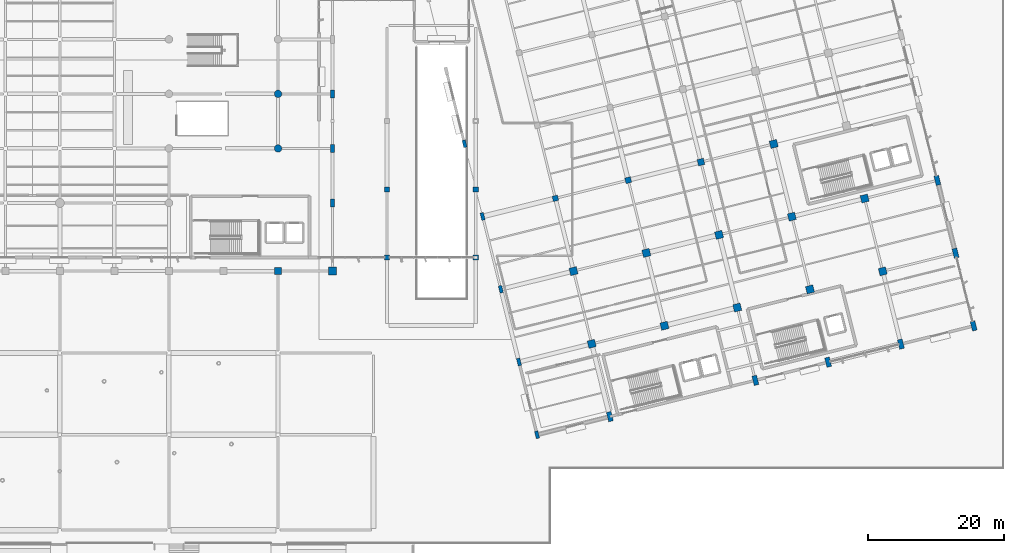
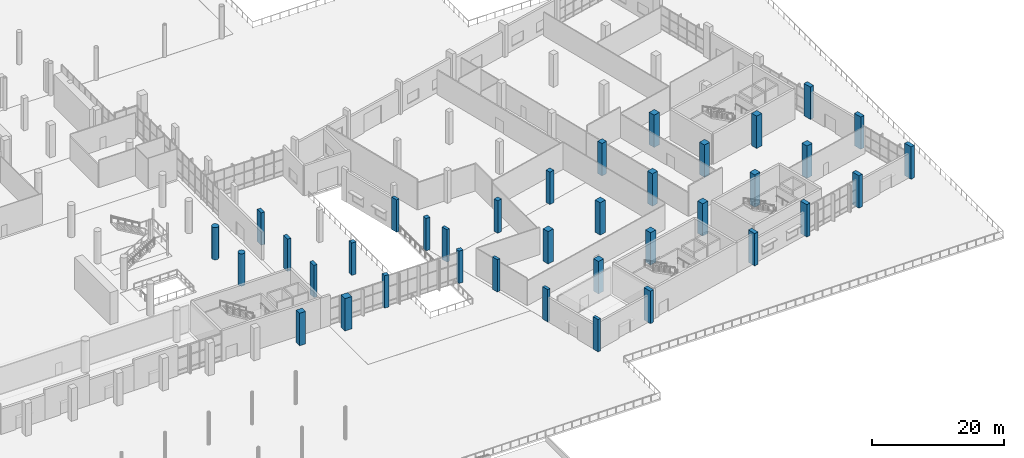
# One storey, part 17 of 163: 37 columns.
"""IFC4 building model written with IfcOpenShell, lengths in metres."""

from ifc_helpers import new_model, si_unit, direction, frame, origin, origin_2d, place, context, subcontext, project, spatial, rectangle, circle, extrude, material, material_profile, profile_set, type_object, element, save


model = new_model("IFC4")

# Units and contexts
model_context = context("Model", 3, precision=1e-05, world=origin(), true_north=direction((0.0, 1.0)))
body_context = subcontext(model_context, "Body", "Model", "MODEL_VIEW")
ifc_project = project(units=[si_unit("LENGTHUNIT", "METRE"), si_unit("AREAUNIT", "SQUARE_METRE"), si_unit("VOLUMEUNIT", "CUBIC_METRE"), si_unit("PLANEANGLEUNIT", "RADIAN"), si_unit("MASSUNIT", "GRAM", prefix="KILO")], contexts=[model_context])

# Site, building, storey
site_placement = place(None, origin())
site = spatial("IfcSite", under=ifc_project, at=site_placement, CompositionType="ELEMENT")
building_placement = place(site_placement, origin())
building = spatial("IfcBuilding", under=site, at=building_placement, Name="Khorjan Park Terminus", CompositionType="ELEMENT")
storey_placement = place(building_placement, origin())
storey = spatial("IfcBuildingStorey", under=building, at=storey_placement, Name="L00", CompositionType="ELEMENT", Elevation=0.0)

# Columns
ifc_material_1 = material(Name="Concrete C50/60", Category="concrete")
ifc_material_profile_1 = material_profile(ifc_material_1, rectangle(XDim=0.5, YDim=1.1, at=origin_2d()), Name="RC 500x1100")
ifc_profile_set_1 = profile_set([ifc_material_profile_1], Name="Concrete C50/60")
column_type_1 = type_object("IfcColumnType", Name="COL-BL1100E", PredefinedType="COLUMN", material=ifc_profile_set_1)
for number, where, z_axis, x_axis, name in (
    (1, (166.0, 2.0, 0.0), (0.0, 0.0, 1.0), (0.970295726276, 0.2419218956, 0.0), "Structural column C-BL11 (L00 #662)"),
    (2, (163.339, 12.673, 0.0), (0.0, 0.0, 1.0), (0.970295726276, 0.2419218956, 0.0), "Structural column C-BL11 (L00 #666)"),
    (3, (160.678, 23.346, 0.0), (0.0, 0.0, 1.0), (0.970295726276, 0.2419218956, 0.0), "Structural column C-BL11 (L00 #670)"),
    (4, (158.017, 34.02, 0.0), (0.0, 0.0, 1.0), (0.970295726276, 0.2419218956, 0.0), "Structural column C-BL11 (L00 #674)"),
    (5, (155.355, 44.693, 0.0), (0.0, 0.0, 1.0), (0.970295726276, 0.2419218956, 0.0), "Structural column C-BL11 (L00 #678)"),
):
    element("IfcColumn", number, at=place(storey_placement, frame(where, z_axis=z_axis, x_axis=x_axis)), inside=storey, type_object=column_type_1, Name=name, PredefinedType="COLUMN", context=body_context, shape_type="SweptSolid", body=[
        extrude(rectangle(XDim=0.5, YDim=1.1, at=origin_2d()), origin(), (0.0, 0.0, 1.0), 6.0),
    ])
ifc_material_profile_2 = material_profile(ifc_material_1, rectangle(XDim=0.6, YDim=1.2, at=origin_2d()), Name="RC 600x1200")
ifc_profile_set_2 = profile_set([ifc_material_profile_2], Name="Concrete C50/60")
column_type_2 = type_object("IfcColumnType", Name="COL-BL1200", PredefinedType="COLUMN", material=ifc_profile_set_2)
for number, where, z_axis, x_axis, name in (
    (6, (136.0, 36.0, 0.0), (0.0, 0.0, 1.0), (1.0, 0.0, 0.0), "Structural column C-BL12 (L00 #472)"),
    (7, (136.0, 44.0, 0.0), (0.0, 0.0, 1.0), (1.0, 0.0, 0.0), "Structural column C-BL12 (L00 #477)"),
    (8, (136.0, 52.0, 0.0), (0.0, 0.0, 1.0), (1.0, 0.0, 0.0), "Structural column C-BL12 (L00 #482)"),
):
    element("IfcColumn", number, at=place(storey_placement, frame(where, z_axis=z_axis, x_axis=x_axis)), inside=storey, type_object=column_type_2, Name=name, PredefinedType="COLUMN", context=body_context, shape_type="SweptSolid", body=[
        extrude(rectangle(XDim=0.6, YDim=1.2, at=origin_2d()), origin(), (0.0, 0.0, 1.0), 6.0),
    ])
ifc_material_profile_3 = material_profile(ifc_material_1, rectangle(XDim=0.7, YDim=1.4, at=origin_2d()), Name="RC 700x1400")
ifc_profile_set_3 = profile_set([ifc_material_profile_3], Name="Concrete C50/60")
column_type_3 = type_object("IfcColumnType", Name="COL-BL1400E", PredefinedType="COLUMN", material=ifc_profile_set_3)
for number, where, z_axis, x_axis, name in (
    (9, (176.673, 4.661, 0.0), (0.0, 0.0, 1.0), (0.970295726276, 0.2419218956, 0.0), "Structural column C-BL14 (L00 #687)"),
    (10, (198.02, 9.983, 0.0), (0.0, 0.0, 1.0), (0.970295726276, 0.2419218956, 0.0), "Structural column C-BL14 (L00 #750)"),
    (11, (208.693, 12.645, 0.0), (0.0, 0.0, 1.0), (0.970295726276, 0.2419218956, 0.0), "Structural column C-BL14 (L00 #791)"),
    (12, (219.366, 15.306, 0.0), (0.0, 0.0, 1.0), (0.970295726276, 0.2419218956, 0.0), "Structural column C-BL14 (L00 #837)"),
    (13, (230.04, 17.967, 0.0), (0.0, 0.0, 1.0), (0.970295726276, 0.2419218956, 0.0), "Structural column C-BL14 (L00 #883)"),
    (14, (227.378, 28.64, 0.0), (0.0, 0.0, 1.0), (0.970295726276, 0.2419218956, 0.0), "Structural column C-BL14 (L00 #890)"),
    (15, (224.717, 39.313, 0.0), (0.0, 0.0, 1.0), (0.970295726276, 0.2419218956, 0.0), "Structural column C-BL14 (L00 #897)"),
):
    element("IfcColumn", number, at=place(storey_placement, frame(where, z_axis=z_axis, x_axis=x_axis)), inside=storey, type_object=column_type_3, Name=name, PredefinedType="COLUMN", context=body_context, shape_type="SweptSolid", body=[
        extrude(rectangle(XDim=0.7, YDim=1.4, at=origin_2d()), origin(), (0.0, 0.0, 1.0), 6.0),
    ])
ifc_material_profile_4 = material_profile(ifc_material_1, rectangle(XDim=1.05, YDim=1.05, at=origin_2d()), Name="RC 1050x1050")
ifc_profile_set_4 = profile_set([ifc_material_profile_4], Name="Concrete C50/60")
column_type_4 = type_object("IfcColumnType", Name="COL-RC1050", PredefinedType="COLUMN", material=ifc_profile_set_4)
column_1_placement = place(storey_placement, frame((128.0, 26.0, 0.0), z_axis=(0.0, 0.0, 1.0), x_axis=(1.0, 0.0, 0.0)))
element("IfcColumn", 16, at=column_1_placement, inside=storey, type_object=column_type_4, Name="Structural column C-RC105 (L00 #442)", PredefinedType="COLUMN", context=body_context, shape_type="SweptSolid", body=[
    extrude(rectangle(XDim=1.05, YDim=1.05, at=origin_2d()), origin(), (0.0, 0.0, 1.0), 6.0),
])
ifc_material_profile_5 = material_profile(ifc_material_1, rectangle(XDim=1.1, YDim=1.1, at=origin_2d()), Name="RC 1100x1100")
ifc_profile_set_5 = profile_set([ifc_material_profile_5], Name="Concrete C50/60")
column_type_5 = type_object("IfcColumnType", Name="COL-RC1100", PredefinedType="COLUMN", material=ifc_profile_set_5)
for number, where, z_axis, x_axis, name in (
    (17, (174.012, 15.334, 0.0), (0.0, 0.0, 1.0), (0.970295726276, 0.2419218956, 0.0), "Structural column C-RC11 (L00 #694)"),
    (18, (171.351, 26.008, 0.0), (0.0, 0.0, 1.0), (0.970295726276, 0.2419218956, 0.0), "Structural column C-RC11 (L00 #701)"),
    (19, (184.685, 17.995, 0.0), (0.0, 0.0, 1.0), (0.970295726276, 0.2419218956, 0.0), "Structural column C-RC11 (L00 #720)"),
    (20, (182.024, 28.669, 0.0), (0.0, 0.0, 1.0), (0.970295726276, 0.2419218956, 0.0), "Structural column C-RC11 (L00 #727)"),
    (21, (195.359, 20.657, 0.0), (0.0, 0.0, 1.0), (0.970295726276, 0.2419218956, 0.0), "Structural column C-RC11 (L00 #757)"),
    (22, (192.697, 31.33, 0.0), (0.0, 0.0, 1.0), (0.970295726276, 0.2419218956, 0.0), "Structural column C-RC11 (L00 #764)"),
    (23, (206.032, 23.318, 0.0), (0.0, 0.0, 1.0), (0.970295726276, 0.2419218956, 0.0), "Structural column C-RC11 (L00 #798)"),
    (24, (203.371, 33.991, 0.0), (0.0, 0.0, 1.0), (0.970295726276, 0.2419218956, 0.0), "Structural column C-RC11 (L00 #805)"),
    (25, (200.71, 44.664, 0.0), (0.0, 0.0, 1.0), (0.970295726276, 0.2419218956, 0.0), "Structural column C-RC11 (L00 #812)"),
    (26, (216.705, 25.979, 0.0), (0.0, 0.0, 1.0), (0.970295726276, 0.2419218956, 0.0), "Structural column C-RC11 (L00 #844)"),
    (27, (214.044, 36.652, 0.0), (0.0, 0.0, 1.0), (0.970295726276, 0.2419218956, 0.0), "Structural column C-RC11 (L00 #851)"),
):
    element("IfcColumn", number, at=place(storey_placement, frame(where, z_axis=z_axis, x_axis=x_axis)), inside=storey, type_object=column_type_5, Name=name, PredefinedType="COLUMN", context=body_context, shape_type="SweptSolid", body=[
        extrude(rectangle(XDim=1.1, YDim=1.1, at=origin_2d()), origin(), (0.0, 0.0, 1.0), 6.0),
    ])
ifc_material_profile_6 = material_profile(ifc_material_1, rectangle(XDim=1.2, YDim=1.2, at=origin_2d()), Name="RC 1200x1200")
ifc_profile_set_6 = profile_set([ifc_material_profile_6], Name="Concrete C50/60")
column_type_6 = type_object("IfcColumnType", Name="COL-RC1200", PredefinedType="COLUMN", material=ifc_profile_set_6)
column_2_placement = place(storey_placement, frame((136.0, 26.0, 0.0), z_axis=(0.0, 0.0, 1.0), x_axis=(1.0, 0.0, 0.0)))
element("IfcColumn", 28, at=column_2_placement, inside=storey, type_object=column_type_6, Name="Structural column C-RC12 (L00 #467)", PredefinedType="COLUMN", context=body_context, shape_type="SweptSolid", body=[
    extrude(rectangle(XDim=1.2, YDim=1.2, at=origin_2d()), origin(), (0.0, 0.0, 1.0), 6.0),
])
ifc_material_2 = material(Name="Concrete C40/50", Category="concrete")
ifc_material_profile_7 = material_profile(ifc_material_2, rectangle(XDim=0.75, YDim=0.75, at=origin_2d()), Name="RC 750x750")
ifc_profile_set_7 = profile_set([ifc_material_profile_7], Name="Concrete C40/50")
column_type_7 = type_object("IfcColumnType", Name="COL-RC750", PredefinedType="COLUMN", material=ifc_profile_set_7)
for number, where, z_axis, x_axis, name in (
    (29, (144.0, 28.0, 0.0), (0.0, 0.0, 1.0), (1.0, 0.0, 0.0), "Structural column C-RC75 (L00 #929)"),
    (30, (144.0, 38.0, 0.0), (0.0, 0.0, 1.0), (1.0, 0.0, 0.0), "Structural column C-RC75 (L00 #932)"),
    (31, (157.0, 28.0, 0.0), (0.0, 0.0, 1.0), (1.0, 0.0, 0.0), "Structural column C-RC75 (L00 #940)"),
    (32, (157.0, 38.0, 0.0), (0.0, 0.0, 1.0), (1.0, 0.0, 0.0), "Structural column C-RC75 (L00 #943)"),
):
    element("IfcColumn", number, at=place(storey_placement, frame(where, z_axis=z_axis, x_axis=x_axis)), inside=storey, type_object=column_type_7, Name=name, PredefinedType="COLUMN", context=body_context, shape_type="SweptSolid", body=[
        extrude(rectangle(XDim=0.75, YDim=0.75, at=origin_2d()), origin(), (0.0, 0.0, 1.0), 6.0),
    ])
ifc_material_profile_8 = material_profile(ifc_material_2, rectangle(XDim=0.8, YDim=0.8, at=origin_2d()), Name="RC 800x800")
ifc_profile_set_8 = profile_set([ifc_material_profile_8], Name="Concrete C40/50")
column_type_8 = type_object("IfcColumnType", Name="COL-RC800", PredefinedType="COLUMN", material=ifc_profile_set_8)
column_3_placement = place(storey_placement, frame((168.69, 36.681, 0.0), z_axis=(0.0, 0.0, 1.0), x_axis=(0.970295726276, 0.2419218956, 0.0)))
element("IfcColumn", 33, at=column_3_placement, inside=storey, type_object=column_type_8, Name="Structural column C-RC08 (L00 #708)", PredefinedType="COLUMN", context=body_context, shape_type="SweptSolid", body=[
    extrude(rectangle(XDim=0.8, YDim=0.8, at=origin_2d()), origin(), (0.0, 0.0, 1.0), 6.0),
])
ifc_material_profile_9 = material_profile(ifc_material_2, rectangle(XDim=0.85, YDim=0.85, at=origin_2d()), Name="RC 850x850")
ifc_profile_set_9 = profile_set([ifc_material_profile_9], Name="Concrete C40/50")
column_type_9 = type_object("IfcColumnType", Name="COL-RC850", PredefinedType="COLUMN", material=ifc_profile_set_9)
column_4_placement = place(storey_placement, frame((179.363, 39.342, 0.0), z_axis=(0.0, 0.0, 1.0), x_axis=(0.970295726276, 0.2419218956, 0.0)))
element("IfcColumn", 34, at=column_4_placement, inside=storey, type_object=column_type_9, Name="Structural column C-RC85 (L00 #734)", PredefinedType="COLUMN", context=body_context, shape_type="SweptSolid", body=[
    extrude(rectangle(XDim=0.85, YDim=0.85, at=origin_2d()), origin(), (0.0, 0.0, 1.0), 6.0),
])
ifc_material_profile_10 = material_profile(ifc_material_1, rectangle(XDim=0.95, YDim=0.95, at=origin_2d()), Name="RC 950x950")
ifc_profile_set_10 = profile_set([ifc_material_profile_10], Name="Concrete C50/60")
column_type_10 = type_object("IfcColumnType", Name="COL-RC950", PredefinedType="COLUMN", material=ifc_profile_set_10)
column_5_placement = place(storey_placement, frame((190.036, 42.003, 0.0), z_axis=(0.0, 0.0, 1.0), x_axis=(0.970295726276, 0.2419218956, 0.0)))
element("IfcColumn", 35, at=column_5_placement, inside=storey, type_object=column_type_10, Name="Structural column C-RC95 (L00 #771)", PredefinedType="COLUMN", context=body_context, shape_type="SweptSolid", body=[
    extrude(rectangle(XDim=0.95, YDim=0.95, at=origin_2d()), origin(), (0.0, 0.0, 1.0), 6.0),
])
ifc_material_profile_11 = material_profile(ifc_material_1, circle(Radius=0.55, at=origin_2d()), Name="RC D1100")
ifc_profile_set_11 = profile_set([ifc_material_profile_11], Name="Concrete C50/60")
column_type_11 = type_object("IfcColumnType", Name="COL-RD1100", PredefinedType="COLUMN", material=ifc_profile_set_11)
for number, where, z_axis, x_axis, name in (
    (36, (128.0, 44.0, 0.0), (0.0, 0.0, 1.0), (1.0, 0.0, 0.0), "Structural column C-RD11 (L00 #447)"),
    (37, (128.0, 52.0, 0.0), (0.0, 0.0, 1.0), (1.0, 0.0, 0.0), "Structural column C-RD11 (L00 #450)"),
):
    element("IfcColumn", number, at=place(storey_placement, frame(where, z_axis=z_axis, x_axis=x_axis)), inside=storey, type_object=column_type_11, Name=name, PredefinedType="COLUMN", context=body_context, shape_type="SweptSolid", body=[
        extrude(circle(Radius=0.55, at=origin_2d()), origin(), (0.0, 0.0, 1.0), 6.0),
    ])

save(model, "model.ifc")
